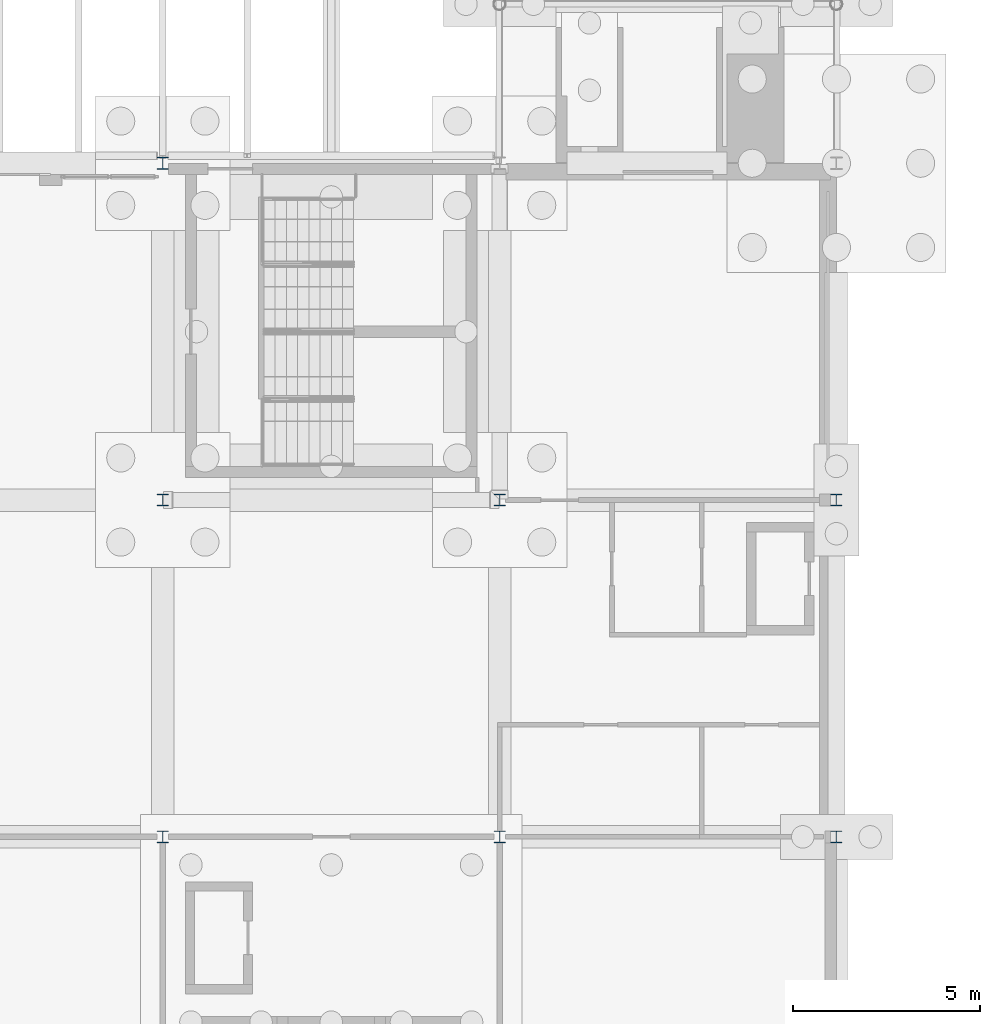
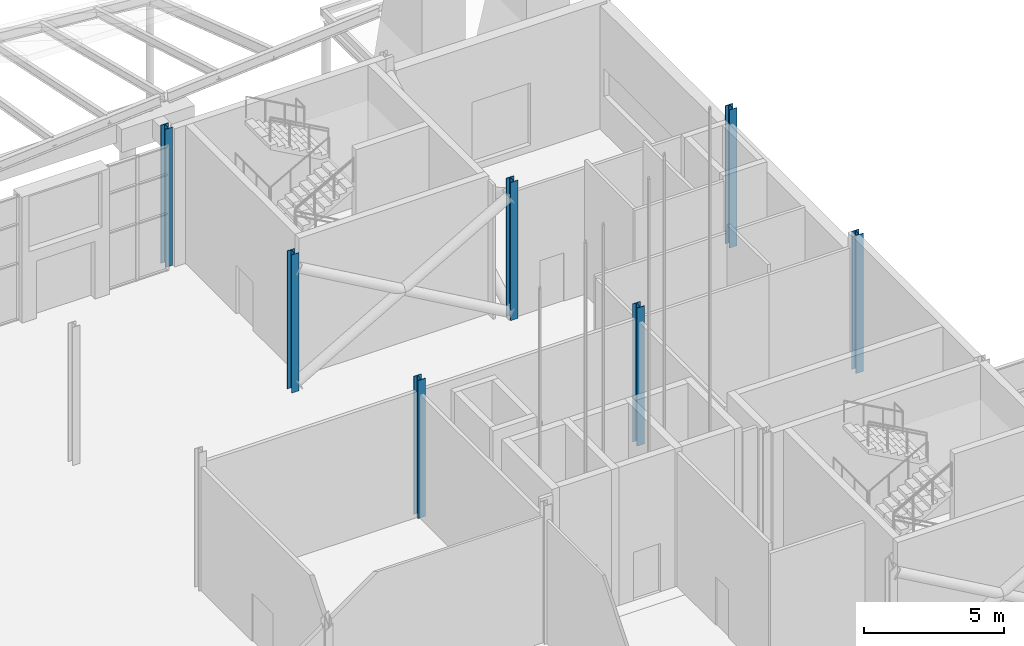
# One storey, part 31 of 139: 7 columns.
"""IFC4 building model written with IfcOpenShell, lengths in metres."""

from ifc_helpers import new_model, si_unit, direction, frame, origin, origin_2d, place, context, subcontext, project, spatial, i_section, extrude, material, material_profile, profile_set, type_object, element, save


model = new_model("IFC4")

# Units and contexts
model_context = context("Model", 3, precision=1e-05, world=origin(), true_north=direction((0.0, 1.0)))
body_context = subcontext(model_context, "Body", "Model", "MODEL_VIEW")
ifc_project = project(units=[si_unit("LENGTHUNIT", "METRE"), si_unit("AREAUNIT", "SQUARE_METRE"), si_unit("VOLUMEUNIT", "CUBIC_METRE"), si_unit("PLANEANGLEUNIT", "RADIAN"), si_unit("MASSUNIT", "GRAM", prefix="KILO")], contexts=[model_context])

# Site, building, storey
site_placement = place(None, origin())
site = spatial("IfcSite", under=ifc_project, at=site_placement, CompositionType="ELEMENT")
building_placement = place(site_placement, origin())
building = spatial("IfcBuilding", under=site, at=building_placement, Name="Shorebreak Coast Museum", CompositionType="ELEMENT")
storey_placement = place(building_placement, origin())
storey = spatial("IfcBuildingStorey", under=building, at=storey_placement, Name="L00", CompositionType="ELEMENT", Elevation=0.0)

# Columns
ifc_material_1 = material(Name="Steel Grade 300", Category="steel")
ifc_material_profile_1 = material_profile(ifc_material_1, i_section(OverallWidth=0.30908203125, OverallDepth=0.320556640625, WebThickness=0.013916015625, FlangeThickness=0.021728515625, FilletRadius=0.0166015625, at=origin_2d()), Name="310UC137")
ifc_profile_set_1 = profile_set([ifc_material_profile_1], Name="Steel Grade 300")
column_type_1 = type_object("IfcColumnType", Name="Column 310UC137", PredefinedType="COLUMN", material=ifc_profile_set_1)
for number, where, z_axis, x_axis, name in (
    (1, (99.0, 99.0, 0.0), (0.0, 0.0, 1.0), (1.0, 0.0, 0.0), "Column L00 12M"),
    (2, (108.0, 99.0, 0.0), (0.0, 0.0, 1.0), (1.0, 0.0, 0.0), "Column L00 13M"),
    (3, (117.0, 99.0, 0.0), (0.0, 0.0, 1.0), (1.0, 0.0, 0.0), "Column L00 14M"),
    (4, (99.0, 108.0, 0.0), (0.0, 0.0, 1.0), (1.0, 0.0, 0.0), "Column L00 12N"),
    (5, (108.0, 108.0, 0.0), (0.0, 0.0, 1.0), (1.0, 0.0, 0.0), "Column L00 13N"),
    (6, (117.0, 108.0, 0.0), (0.0, 0.0, 1.0), (1.0, 0.0, 0.0), "Column L00 14N"),
):
    element("IfcColumn", number, at=place(storey_placement, frame(where, z_axis=z_axis, x_axis=x_axis)), inside=storey, type_object=column_type_1, Name=name, PredefinedType="COLUMN", context=body_context, shape_type="SweptSolid", body=[
        extrude(i_section(OverallWidth=0.30908203125, OverallDepth=0.320556640625, WebThickness=0.013916015625, FlangeThickness=0.021728515625, FilletRadius=0.0166015625, at=origin_2d()), origin(), (0.0, 0.0, 1.0), 6.0),
    ])
ifc_material_2 = material(Name="Steel Grade 300", Category="steel")
ifc_material_profile_2 = material_profile(ifc_material_2, i_section(OverallWidth=0.31103515625, OverallDepth=0.3271484375, WebThickness=0.015625, FlangeThickness=0.02490234375, FilletRadius=0.0166015625, at=origin_2d()), Name="310UC158")
ifc_profile_set_2 = profile_set([ifc_material_profile_2], Name="Steel Grade 300")
column_type_2 = type_object("IfcColumnType", Name="Column 310UC158", PredefinedType="COLUMN", material=ifc_profile_set_2)
column_placement = place(storey_placement, frame((99.0, 117.0, 0.0), z_axis=(0.0, 0.0, 1.0), x_axis=(1.0, 0.0, 0.0)))
element("IfcColumn", 7, at=column_placement, inside=storey, type_object=column_type_2, Name="Column L00 12P", PredefinedType="COLUMN", context=body_context, shape_type="SweptSolid", body=[
    extrude(i_section(OverallWidth=0.31103515625, OverallDepth=0.3271484375, WebThickness=0.015625, FlangeThickness=0.02490234375, FilletRadius=0.0166015625, at=origin_2d()), origin(), (0.0, 0.0, 1.0), 6.0),
])

save(model, "model.ifc")
